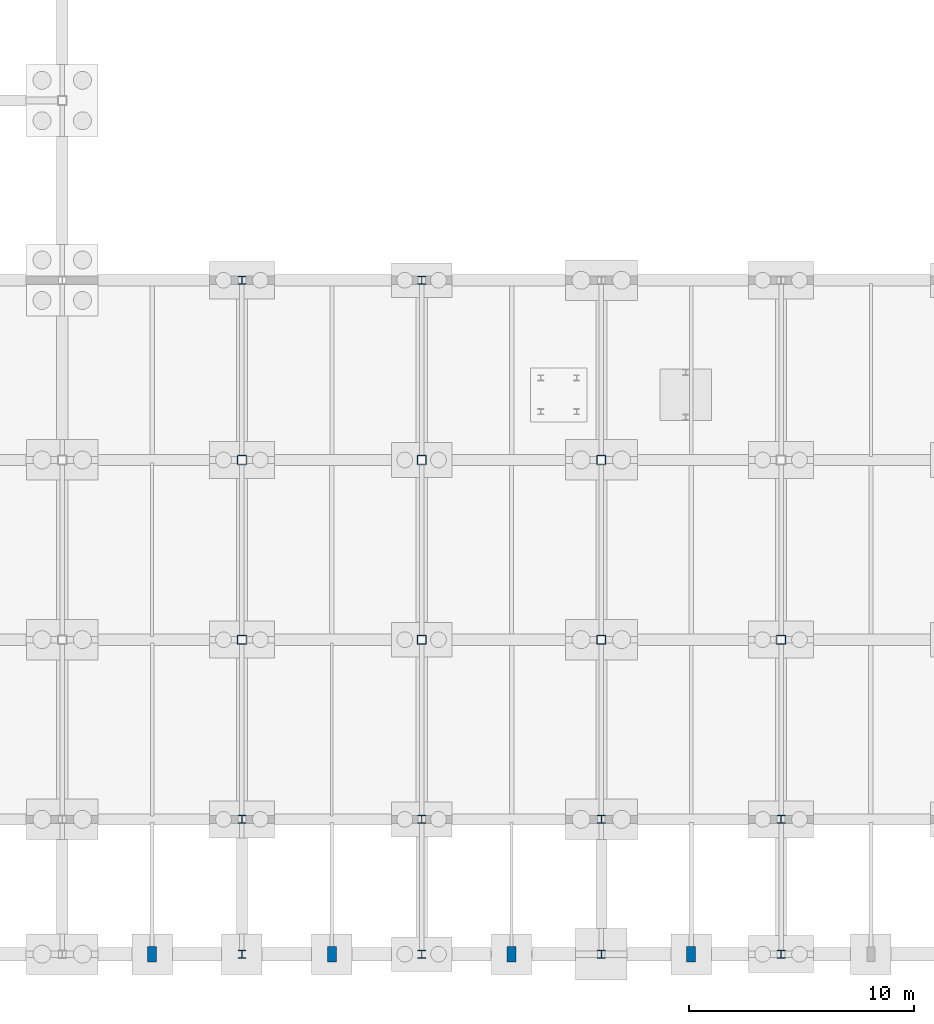
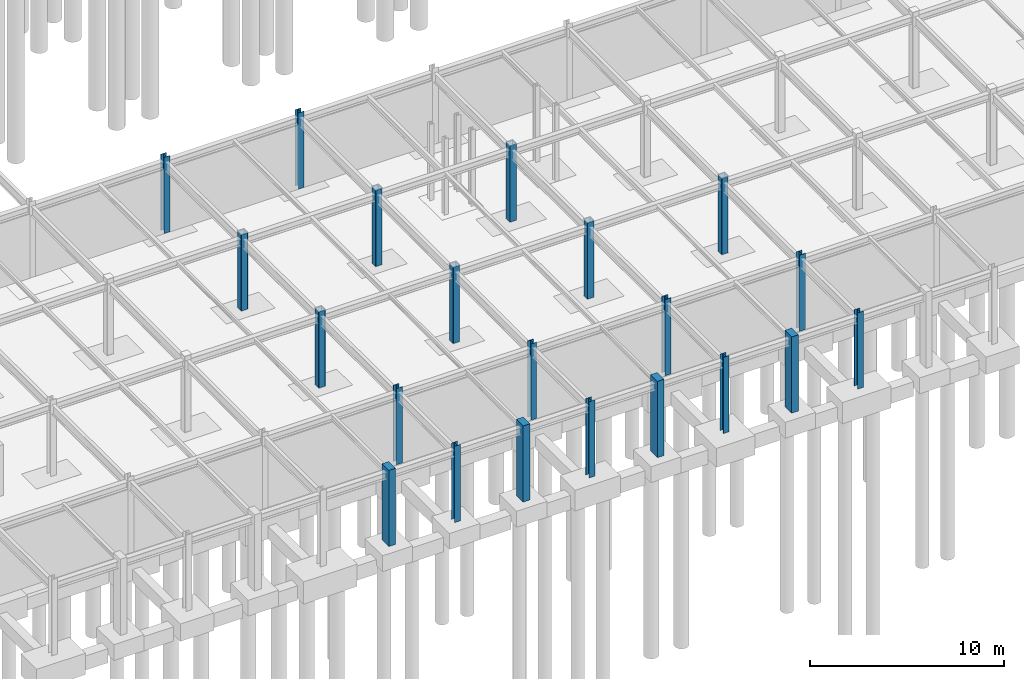
# One storey, part 16 of 72: 21 columns.
"""IFC4 building model written with IfcOpenShell, lengths in metres."""

from ifc_helpers import new_model, si_unit, direction, frame, origin, origin_2d, place, context, subcontext, project, spatial, rectangle, hollow_rectangle, i_section, extrude, material, material_profile, profile_set, type_object, element, save


model = new_model("IFC4")

# Units and contexts
model_context = context("Model", 3, precision=1e-05, world=origin(), true_north=direction((0.0, 1.0)))
body_context = subcontext(model_context, "Body", "Model", "MODEL_VIEW")
ifc_project = project(units=[si_unit("LENGTHUNIT", "METRE"), si_unit("AREAUNIT", "SQUARE_METRE"), si_unit("VOLUMEUNIT", "CUBIC_METRE"), si_unit("PLANEANGLEUNIT", "RADIAN"), si_unit("MASSUNIT", "GRAM", prefix="KILO")], contexts=[model_context])

# Site, building, storey
site_placement = place(None, origin())
site = spatial("IfcSite", under=ifc_project, at=site_placement, CompositionType="ELEMENT")
building_placement = place(site_placement, origin())
building = spatial("IfcBuilding", under=site, at=building_placement, Name="Zhaolan Boulevard Law Courts", CompositionType="ELEMENT")
storey_placement = place(building_placement, frame((0.0, 0.0, -4.800048828125)))
storey = spatial("IfcBuildingStorey", under=building, at=storey_placement, Name="B1", CompositionType="ELEMENT", Elevation=-4.800048828125)

# Columns
ifc_material_1 = material(Name="Structural steel Q355B", Category="steel")
ifc_material_profile_1 = material_profile(ifc_material_1, hollow_rectangle(XDim=0.39990234375, YDim=0.39990234375, WallThickness=0.01611328125, InnerFilletRadius=0.01611328125, OuterFilletRadius=0.031982421875, at=origin_2d()), Name="BOX400x400x16")
ifc_profile_set_1 = profile_set([ifc_material_profile_1], Name="Structural steel Q355B")
column_type_1 = type_object("IfcColumnType", Name="COL BOX400", PredefinedType="COLUMN", material=ifc_profile_set_1)
for number, where, z_axis, x_axis, name in (
    (1, (68.0, 14.0, 0.0), (0.0, 0.0, 1.0), (1.0, 0.0, 0.0), "Column C-9C (B1)"),
    (2, (68.0, 22.0, 0.0), (0.0, 0.0, 1.0), (1.0, 0.0, 0.0), "Column C-9D (B1)"),
    (3, (76.0, 14.0, 0.0), (0.0, 0.0, 1.0), (1.0, 0.0, 0.0), "Column C-10C (B1)"),
    (4, (76.0, 22.0, 0.0), (0.0, 0.0, 1.0), (1.0, 0.0, 0.0), "Column C-10D (B1)"),
    (5, (84.0, 14.0, 0.0), (0.0, 0.0, 1.0), (1.0, 0.0, 0.0), "Column C-11C (B1)"),
    (6, (84.0, 22.0, 0.0), (0.0, 0.0, 1.0), (1.0, 0.0, 0.0), "Column C-11D (B1)"),
    (7, (92.0, 14.0, 0.0), (0.0, 0.0, 1.0), (1.0, 0.0, 0.0), "Column C-12C (B1)"),
):
    element("IfcColumn", number, at=place(storey_placement, frame(where, z_axis=z_axis, x_axis=x_axis)), inside=storey, type_object=column_type_1, Name=name, PredefinedType="COLUMN", context=body_context, shape_type="SweptSolid", body=[
        extrude(hollow_rectangle(XDim=0.39990234375, YDim=0.39990234375, WallThickness=0.01611328125, InnerFilletRadius=0.01611328125, OuterFilletRadius=0.031982421875, at=origin_2d()), origin(), (0.0, 0.0, 1.0), 4.800048828125),
    ])
ifc_material_2 = material(Name="Structural steel Q355B", Category="steel")
ifc_material_profile_2 = material_profile(ifc_material_2, i_section(OverallWidth=0.35009765625, OverallDepth=0.35009765625, WebThickness=0.011962890625, FlangeThickness=0.01904296875, FilletRadius=0.02001953125, at=origin_2d()), Name="HW350x350")
ifc_profile_set_2 = profile_set([ifc_material_profile_2], Name="Structural steel Q355B")
column_type_2 = type_object("IfcColumnType", Name="COL HW350", PredefinedType="COLUMN", material=ifc_profile_set_2)
for number, where, z_axis, x_axis, name in (
    (8, (68.0, 0.0, 0.0), (0.0, 0.0, 1.0), (1.0, 0.0, 0.0), "Column C-9A (B1)"),
    (9, (68.0, 6.0, 0.0), (0.0, 0.0, 1.0), (1.0, 0.0, 0.0), "Column C-9B (B1)"),
    (10, (68.0, 30.0, 0.0), (0.0, 0.0, 1.0), (1.0, 0.0, 0.0), "Column C-9E (B1)"),
    (11, (76.0, 0.0, 0.0), (0.0, 0.0, 1.0), (1.0, 0.0, 0.0), "Column C-10A (B1)"),
    (12, (76.0, 6.0, 0.0), (0.0, 0.0, 1.0), (1.0, 0.0, 0.0), "Column C-10B (B1)"),
    (13, (76.0, 30.0, 0.0), (0.0, 0.0, 1.0), (1.0, 0.0, 0.0), "Column C-10E (B1)"),
    (14, (84.0, 0.0, 0.0), (0.0, 0.0, 1.0), (1.0, 0.0, 0.0), "Column C-11A (B1)"),
    (15, (84.0, 6.0, 0.0), (0.0, 0.0, 1.0), (1.0, 0.0, 0.0), "Column C-11B (B1)"),
    (16, (92.0, 0.0, 0.0), (0.0, 0.0, 1.0), (1.0, 0.0, 0.0), "Column C-12A (B1)"),
    (17, (92.0, 6.0, 0.0), (0.0, 0.0, 1.0), (1.0, 0.0, 0.0), "Column C-12B (B1)"),
):
    element("IfcColumn", number, at=place(storey_placement, frame(where, z_axis=z_axis, x_axis=x_axis)), inside=storey, type_object=column_type_2, Name=name, PredefinedType="COLUMN", context=body_context, shape_type="SweptSolid", body=[
        extrude(i_section(OverallWidth=0.35009765625, OverallDepth=0.35009765625, WebThickness=0.011962890625, FlangeThickness=0.01904296875, FilletRadius=0.02001953125, at=origin_2d()), origin(), (0.0, 0.0, 1.0), 4.800048828125),
    ])
ifc_material_3 = material(Name="Concrete C40", Category="concrete")
ifc_material_profile_3 = material_profile(ifc_material_3, rectangle(XDim=0.39990234375, YDim=0.699951171875, at=origin_2d()), Name="RC400x700")
ifc_profile_set_3 = profile_set([ifc_material_profile_3], Name="Concrete C40")
column_type_3 = type_object("IfcColumnType", Name="PILASTER 400X700", PredefinedType="PILASTER", material=ifc_profile_set_3)
for number, where, z_axis, x_axis, name in (
    (18, (64.0, 0.0, 0.0), (0.0, 0.0, 1.0), (1.0, 0.0, 0.0), "Facade Pilaster PIL-03 (B1)"),
    (19, (72.0, 0.0, 0.0), (0.0, 0.0, 1.0), (1.0, 0.0, 0.0), "Facade Pilaster PIL-04 (B1)"),
    (20, (80.0, 0.0, 0.0), (0.0, 0.0, 1.0), (1.0, 0.0, 0.0), "Facade Pilaster PIL-05 (B1)"),
    (21, (88.0, 0.0, 0.0), (0.0, 0.0, 1.0), (1.0, 0.0, 0.0), "Facade Pilaster PIL-06 (B1)"),
):
    element("IfcColumn", number, at=place(storey_placement, frame(where, z_axis=z_axis, x_axis=x_axis)), inside=storey, type_object=column_type_3, Name=name, PredefinedType="PILASTER", context=body_context, shape_type="SweptSolid", body=[
        extrude(rectangle(XDim=0.39990234375, YDim=0.699951171875, at=origin_2d()), origin(), (0.0, 0.0, 1.0), 4.800048828125),
    ])

save(model, "model.ifc")
